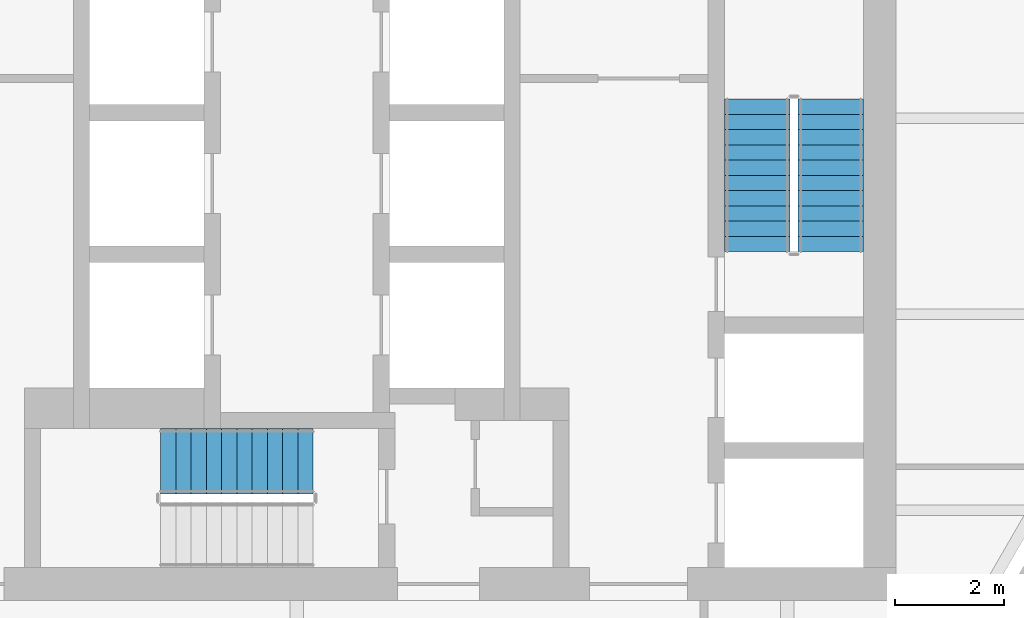
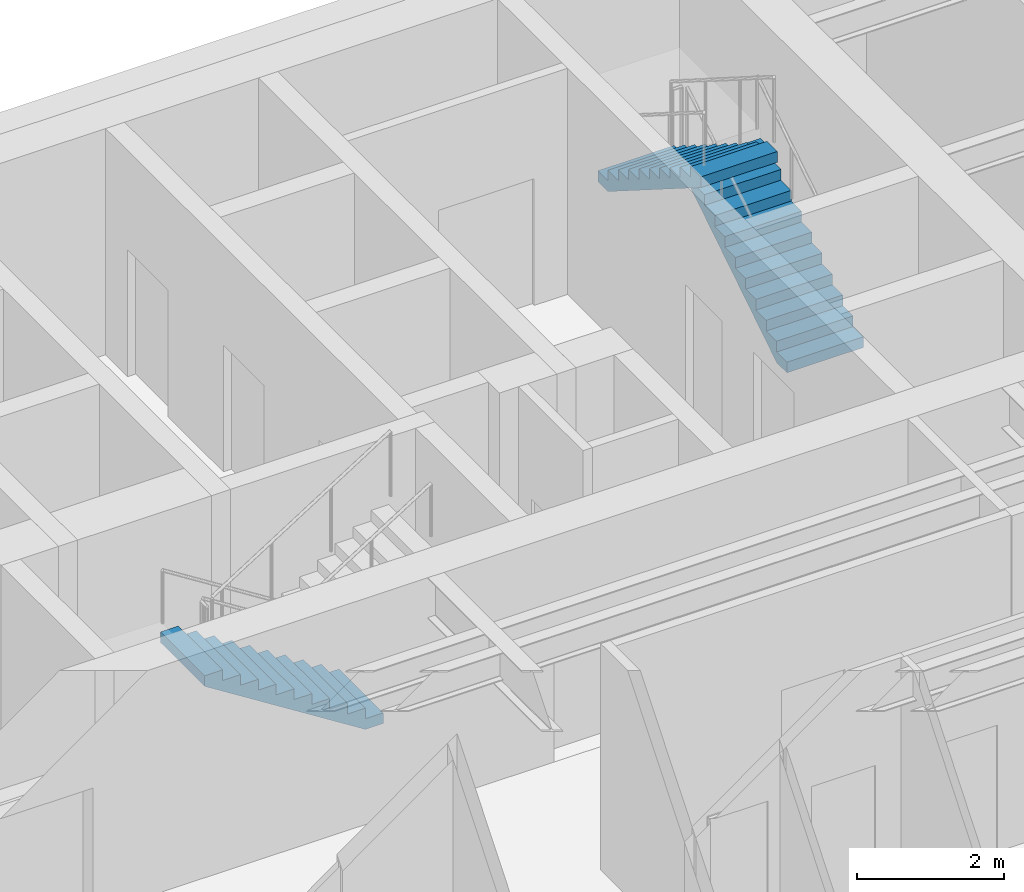
# One storey, part 6 of 7: 3 stair flights, 2 elements without a shape of their own.
"""IFC4 building model written with IfcOpenShell, lengths in metres."""

from ifc_helpers import new_model, si_unit, direction, frame, origin, place, context, subcontext, project, spatial, polyline, outline, extrude, material, type_object, element, aggregate, save


model = new_model("IFC4")

# Units and contexts
model_context = context("Model", 3, precision=1e-05, world=origin(), true_north=direction((0.0, 1.0)))
body_context = subcontext(model_context, "Body", "Model", "MODEL_VIEW")
ifc_project = project(units=[si_unit("LENGTHUNIT", "METRE"), si_unit("AREAUNIT", "SQUARE_METRE"), si_unit("VOLUMEUNIT", "CUBIC_METRE"), si_unit("PLANEANGLEUNIT", "RADIAN"), si_unit("MASSUNIT", "GRAM", prefix="KILO")], contexts=[model_context])

# Site, building, storey
site_placement = place(None, origin())
site = spatial("IfcSite", under=ifc_project, at=site_placement, CompositionType="ELEMENT")
building_placement = place(site_placement, origin())
building = spatial("IfcBuilding", under=site, at=building_placement, Name="Aloe Facet Convention Tower", CompositionType="ELEMENT")
storey_placement = place(building_placement, frame((0.0, 0.0, 258.199951171875)))
storey = spatial("IfcBuildingStorey", under=building, at=storey_placement, Name="L63", CompositionType="ELEMENT", Elevation=258.199951171875)

# Stair, stair flights
ifc_material_1 = material(Name="Concrete C50/60", Category="concrete")
stair_type = type_object("IfcStairType", Name="CR-ST-22R", PredefinedType="HALF_TURN_STAIR", material=ifc_material_1)
stair_1_placement = place(storey_placement, origin())
stair_1 = element("IfcStair", 1, at=stair_1_placement, inside=storey, type_object=stair_type, Name="L63 Protected exit stair ST2", PredefinedType="HALF_TURN_STAIR")
ifc_material_2 = material(Name="Concrete C50/60", Category="concrete")
stair_flight_type = type_object("IfcStairFlightType", Name="CR-SFL-22R", PredefinedType="STRAIGHT", material=ifc_material_2)
stair_flight_1_placement = place(storey_placement, frame((89.800048828125, 128.949951171875, 0.0), z_axis=(0.0, 0.0, 1.0), x_axis=(0.0, 1.0, 0.0)))
stair_flight_1 = element("IfcStairFlight", 2, at=stair_flight_1_placement, type_object=stair_flight_type, Name="ST2 flight 1", NumberOfRisers=11, NumberOfTreads=10, PredefinedType="STRAIGHT", RiserHeight=0.177272727, TreadLength=0.28, context=body_context, shape_type="SweptSolid", body=[
    extrude(outline(polyline([(0.0, 0.0), (0.0, 0.17724609375), (0.280029296875, 0.17724609375), (0.280029296875, 0.3544921875), (0.56005859375, 0.3544921875), (0.56005859375, 0.53173828125), (0.840087890625, 0.53173828125), (0.840087890625, 0.708984375), (1.1201171875, 0.708984375), (1.1201171875, 0.886474609375), (1.39990234375, 0.886474609375), (1.39990234375, 1.063720703125), (1.679931640625, 1.063720703125), (1.679931640625, 1.240966796875), (1.9599609375, 1.240966796875), (1.9599609375, 1.418212890625), (2.239990234375, 1.418212890625), (2.239990234375, 1.595458984375), (2.52001953125, 1.595458984375), (2.52001953125, 1.772705078125), (2.800048828125, 1.772705078125), (2.800048828125, 1.949951171875), (2.800048828125, 1.59521484375), (0.2802734375, 0.0), (0.0, 0.0)])), frame((0.0, 0.60009765625, 0.0), z_axis=(0.0, -1.0, 0.0), x_axis=(1.0, 0.0, 0.0)), (0.0, 0.0, 1.0), 1.199951171875),
])
stair_flight_2_placement = place(storey_placement, frame((88.449951171875, 131.75, 1.949951171875), z_axis=(0.0, 0.0, 1.0), x_axis=(0.0, -1.0, 0.0)))
stair_flight_2 = element("IfcStairFlight", 3, at=stair_flight_2_placement, type_object=stair_flight_type, Name="ST2 flight 2", NumberOfRisers=11, NumberOfTreads=10, PredefinedType="STRAIGHT", RiserHeight=0.177272727, TreadLength=0.28, context=body_context, shape_type="SweptSolid", body=[
    extrude(outline(polyline([(0.0, 0.0), (0.0, 0.17724609375), (0.280029296875, 0.17724609375), (0.280029296875, 0.3544921875), (0.56005859375, 0.3544921875), (0.56005859375, 0.53173828125), (0.840087890625, 0.53173828125), (0.840087890625, 0.708984375), (1.1201171875, 0.708984375), (1.1201171875, 0.886474609375), (1.39990234375, 0.886474609375), (1.39990234375, 1.063720703125), (1.679931640625, 1.063720703125), (1.679931640625, 1.240966796875), (1.9599609375, 1.240966796875), (1.9599609375, 1.418212890625), (2.239990234375, 1.418212890625), (2.239990234375, 1.595458984375), (2.52001953125, 1.595458984375), (2.52001953125, 1.772705078125), (2.800048828125, 1.772705078125), (2.800048828125, 1.949951171875), (2.800048828125, 1.59521484375), (0.2802734375, 0.0), (0.0, 0.0)])), frame((0.0, 0.60009765625, 0.0), z_axis=(0.0, -1.0, 0.0), x_axis=(1.0, 0.0, 0.0)), (0.0, 0.0, 1.0), 1.199951171875),
])
aggregate(stair_1, [stair_flight_1, stair_flight_2])

# Stair, stair flight
stair_2_placement = place(storey_placement, origin())
stair_2 = element("IfcStair", 4, at=stair_2_placement, inside=storey, type_object=stair_type, Name="L63 Protected exit stair ST3", PredefinedType="HALF_TURN_STAIR")
stair_flight_3_placement = place(storey_placement, frame((80.300048828125, 125.10009765625, 0.0), z_axis=(0.0, 0.0, 1.0), x_axis=(-1.0, 0.0, 0.0)))
stair_flight_3 = element("IfcStairFlight", 5, at=stair_flight_3_placement, type_object=stair_flight_type, Name="ST3 flight 1", NumberOfRisers=11, NumberOfTreads=10, PredefinedType="STRAIGHT", RiserHeight=0.177272727, TreadLength=0.28, context=body_context, shape_type="SweptSolid", body=[
    extrude(outline(polyline([(0.0, 0.0), (0.0, 0.17724609375), (0.280029296875, 0.17724609375), (0.280029296875, 0.3544921875), (0.56005859375, 0.3544921875), (0.56005859375, 0.53173828125), (0.840087890625, 0.53173828125), (0.840087890625, 0.708984375), (1.1201171875, 0.708984375), (1.1201171875, 0.886474609375), (1.39990234375, 0.886474609375), (1.39990234375, 1.063720703125), (1.679931640625, 1.063720703125), (1.679931640625, 1.240966796875), (1.9599609375, 1.240966796875), (1.9599609375, 1.418212890625), (2.239990234375, 1.418212890625), (2.239990234375, 1.595458984375), (2.52001953125, 1.595458984375), (2.52001953125, 1.772705078125), (2.800048828125, 1.772705078125), (2.800048828125, 1.949951171875), (2.800048828125, 1.59521484375), (0.2802734375, 0.0), (0.0, 0.0)])), frame((0.0, 0.60009765625, 0.0), z_axis=(0.0, -1.0, 0.0), x_axis=(1.0, 0.0, 0.0)), (0.0, 0.0, 1.0), 1.199951171875),
])
aggregate(stair_2, [stair_flight_3])

save(model, "model.ifc")
